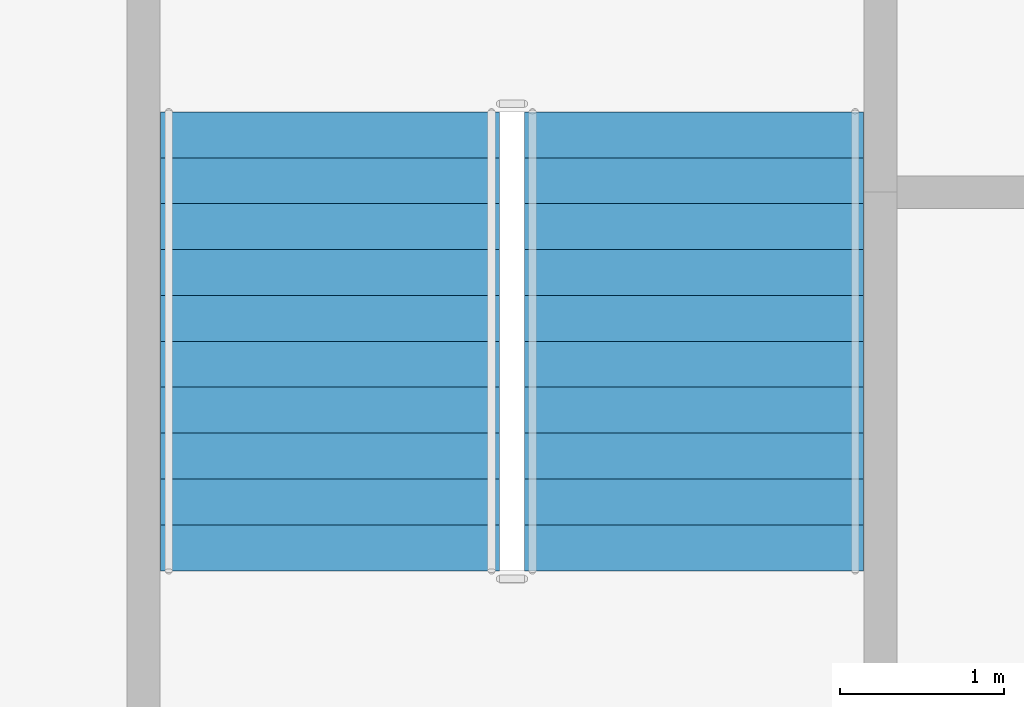
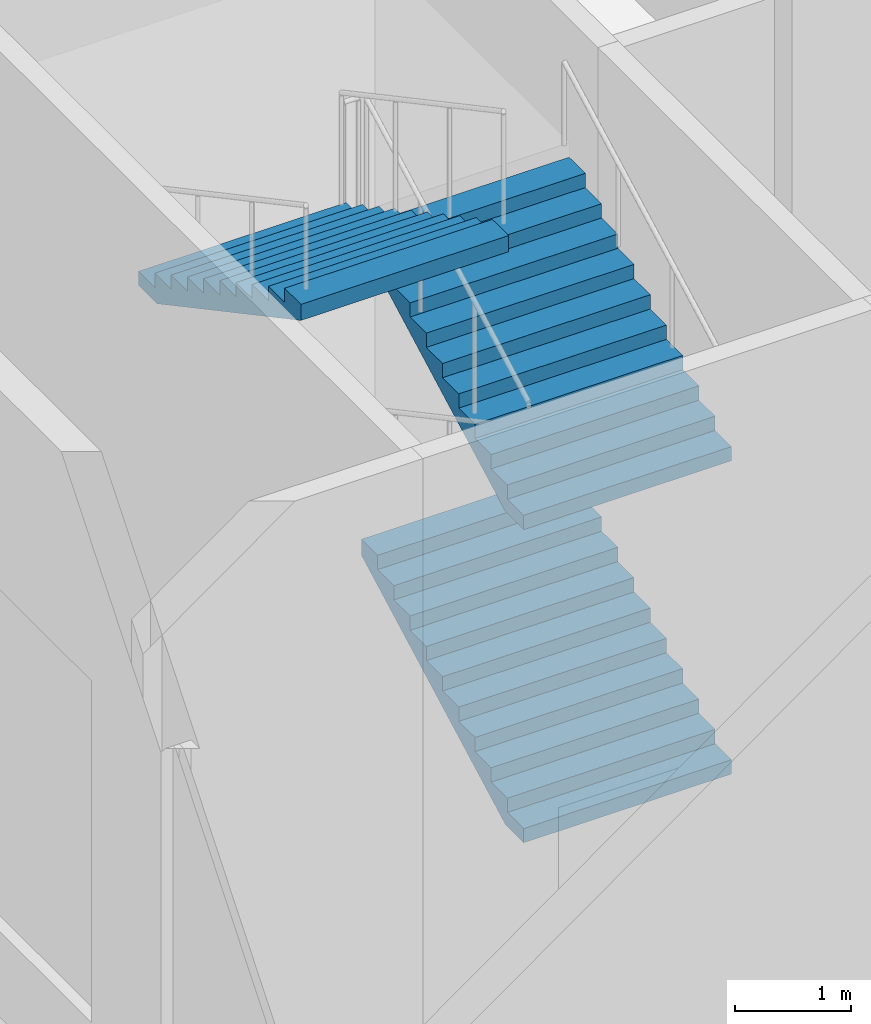
# One storey, part 16 of 26: 3 stair flights, 1 element without a shape of its own.
"""IFC4 building model written with IfcOpenShell, lengths in metres."""

from ifc_helpers import new_model, si_unit, direction, frame, origin, place, context, subcontext, project, spatial, polygons, material, type_object, element, aggregate, save


model = new_model("IFC4")

# Units and contexts
model_context = context("Model", 3, precision=1e-05, world=origin(), true_north=direction((0.0, 1.0)))
body_context = subcontext(model_context, "Body", "Model", "MODEL_VIEW")
ifc_project = project(units=[si_unit("LENGTHUNIT", "METRE"), si_unit("AREAUNIT", "SQUARE_METRE"), si_unit("VOLUMEUNIT", "CUBIC_METRE"), si_unit("PLANEANGLEUNIT", "RADIAN"), si_unit("MASSUNIT", "GRAM", prefix="KILO")], contexts=[model_context])

# Site, building, storey
site_placement = place(None, origin())
site = spatial("IfcSite", under=ifc_project, at=site_placement, CompositionType="ELEMENT")
building_placement = place(site_placement, origin())
building = spatial("IfcBuilding", under=site, at=building_placement, Name="Caravel Reach Hotel and Residences", CompositionType="ELEMENT")
storey_placement = place(building_placement, frame((0.0, 0.0, 17.39990234375)))
storey = spatial("IfcBuildingStorey", under=building, at=storey_placement, Name="L03", CompositionType="ELEMENT", Elevation=17.39990234375)

# Stair, stair flights
ifc_material_1 = material(Name="Concrete C40", Category="concrete")
stair_type = type_object("IfcStairType", Name="Core stair", PredefinedType="HALF_TURN_STAIR", material=ifc_material_1)
stair_placement = place(storey_placement, origin())
stair = element("IfcStair", 1, at=stair_placement, inside=storey, type_object=stair_type, Name="L03 Exit stair P5", PredefinedType="HALF_TURN_STAIR")
ifc_material_2 = material(Name="Concrete C40", Category="concrete")
stair_flight_type = type_object("IfcStairFlightType", Name="Core stair flight", PredefinedType="STRAIGHT", material=ifc_material_2)
stair_flight_1_placement = place(storey_placement, frame((1.360107421875, 42.68994140625, 0.0), z_axis=(0.0, 0.0, 1.0), x_axis=(0.0, 1.0, 0.0)))
stair_flight_1 = element("IfcStairFlight", 2, at=stair_flight_1_placement, type_object=stair_flight_type, Name="ST-P5 flight 1", NumberOfRisers=11, NumberOfTreads=10, PredefinedType="STRAIGHT", RiserHeight=0.15, TreadLength=0.28, context=body_context, shape_type="Tessellation", body=[
    polygons([(0.3174408016601862, 1.0350341796875, 0.0), (0.3174408016601862, 0.6900227864583333, 0.0), (0.3174408016601862, 0.34501139322916663, 0.0), (0.3174408016601862, 0.0, 0.0), (0.3174408016601862, -0.34501139322916674, 0.0), (0.3174408016601862, -0.6900227864583333, 0.0), (0.3174408016601862, -1.0350341796875, 0.0), (2.801, 1.0350341796875, 1.329942427682043), (2.801, 0.6900227864583333, 1.329942427682043), (2.801, 0.34501139322916663, 1.329942427682043), (2.801, 0.0, 1.329942427682043), (2.801, -0.34501139322916674, 1.329942427682043), (2.801, -0.6900227864583333, 1.329942427682043), (2.801, -1.0350341796875, 1.329942427682043), (2.801, 1.0350341796875, 1.5), (2.801, 0.6900227864583333, 1.5), (2.801, 0.34501139322916663, 1.5), (2.801, 0.0, 1.5), (2.801, -0.34501139322916674, 1.5), (2.801, -0.6900227864583333, 1.5), (2.801, -1.0350341796875, 1.5), (2.5200000000000005, 1.0350341796875, 1.5), (2.5200000000000005, 0.6900227864583333, 1.5), (2.5200000000000005, 0.34501139322916663, 1.5), (2.5200000000000005, 0.0, 1.5), (2.5200000000000005, -0.34501139322916674, 1.5), (2.5200000000000005, -0.6900227864583333, 1.5), (2.5200000000000005, -1.0350341796875, 1.5), (2.5200000000000005, 1.0350341796875, 1.3499999999999999), (2.5200000000000005, 0.6900227864583333, 1.3499999999999999), (2.5200000000000005, 0.34501139322916663, 1.3499999999999999), (2.5200000000000005, 0.0, 1.3499999999999999), (2.5200000000000005, -0.34501139322916674, 1.3499999999999999), (2.5200000000000005, -0.6900227864583333, 1.3499999999999999), (2.5200000000000005, -1.0350341796875, 1.3499999999999999), (2.24, 1.0350341796875, 1.3499999999999999), (2.24, 0.6900227864583333, 1.3499999999999999), (2.24, 0.34501139322916663, 1.3499999999999999), (2.24, 0.0, 1.3499999999999999), (2.24, -0.34501139322916674, 1.3499999999999999), (2.24, -0.6900227864583333, 1.3499999999999999), (2.24, -1.0350341796875, 1.3499999999999999), (2.24, 1.0350341796875, 1.2), (2.24, 0.6900227864583333, 1.2), (2.24, 0.34501139322916663, 1.2), (2.24, 0.0, 1.2), (2.24, -0.34501139322916674, 1.2), (2.24, -0.6900227864583333, 1.2), (2.24, -1.0350341796875, 1.2), (1.9600000000000002, 1.0350341796875, 1.2), (1.9600000000000002, 0.6900227864583333, 1.2), (1.9600000000000002, 0.34501139322916663, 1.2), (1.9600000000000002, 0.0, 1.2), (1.9600000000000002, -0.34501139322916674, 1.2), (1.9600000000000002, -0.6900227864583333, 1.2), (1.9600000000000002, -1.0350341796875, 1.2), (1.9600000000000002, 1.0350341796875, 1.05), (1.9600000000000002, 0.6900227864583333, 1.05), (1.9600000000000002, 0.34501139322916663, 1.05), (1.9600000000000002, 0.0, 1.05), (1.9600000000000002, -0.34501139322916674, 1.05), (1.9600000000000002, -0.6900227864583333, 1.05), (1.9600000000000002, -1.0350341796875, 1.05), (1.6800000000000002, 1.0350341796875, 1.05), (1.6800000000000002, 0.6900227864583333, 1.05), (1.6800000000000002, 0.34501139322916663, 1.05), (1.6800000000000002, 0.0, 1.05), (1.6800000000000002, -0.34501139322916674, 1.05), (1.6800000000000002, -0.6900227864583333, 1.05), (1.6800000000000002, -1.0350341796875, 1.05), (1.6800000000000002, 1.0350341796875, 0.8999999999999999), (1.6800000000000002, 0.6900227864583333, 0.8999999999999999), (1.6800000000000002, 0.34501139322916663, 0.8999999999999999), (1.6800000000000002, 0.0, 0.8999999999999999), (1.6800000000000002, -0.34501139322916674, 0.8999999999999999), (1.6800000000000002, -0.6900227864583333, 0.8999999999999999), (1.6800000000000002, -1.0350341796875, 0.8999999999999999), (1.4000000000000001, 1.0350341796875, 0.8999999999999999), (1.4000000000000001, 0.6900227864583333, 0.8999999999999999), (1.4000000000000001, 0.34501139322916663, 0.8999999999999999), (1.4000000000000001, 0.0, 0.8999999999999999), (1.4000000000000001, -0.34501139322916674, 0.8999999999999999), (1.4000000000000001, -0.6900227864583333, 0.8999999999999999), (1.4000000000000001, -1.0350341796875, 0.8999999999999999), (1.4000000000000001, 1.0350341796875, 0.75), (1.4000000000000001, 0.6900227864583333, 0.75), (1.4000000000000001, 0.34501139322916663, 0.75), (1.4000000000000001, 0.0, 0.75), (1.4000000000000001, -0.34501139322916674, 0.75), (1.4000000000000001, -0.6900227864583333, 0.75), (1.4000000000000001, -1.0350341796875, 0.75), (1.12, 1.0350341796875, 0.75), (1.12, 0.6900227864583333, 0.75), (1.12, 0.34501139322916663, 0.75), (1.12, 0.0, 0.75), (1.12, -0.34501139322916674, 0.75), (1.12, -0.6900227864583333, 0.75), (1.12, -1.0350341796875, 0.75), (1.12, 1.0350341796875, 0.6), (1.12, 0.6900227864583333, 0.6), (1.12, 0.34501139322916663, 0.6), (1.12, 0.0, 0.6), (1.12, -0.34501139322916674, 0.6), (1.12, -0.6900227864583333, 0.6), (1.12, -1.0350341796875, 0.6), (0.8400000000000001, 1.0350341796875, 0.6), (0.8400000000000001, 0.6900227864583333, 0.6), (0.8400000000000001, 0.34501139322916663, 0.6), (0.8400000000000001, 0.0, 0.6), (0.8400000000000001, -0.34501139322916674, 0.6), (0.8400000000000001, -0.6900227864583333, 0.6), (0.8400000000000001, -1.0350341796875, 0.6), (0.8400000000000001, 1.0350341796875, 0.44999999999999996), (0.8400000000000001, 0.6900227864583333, 0.44999999999999996), (0.8400000000000001, 0.34501139322916663, 0.44999999999999996), (0.8400000000000001, 0.0, 0.44999999999999996), (0.8400000000000001, -0.34501139322916674, 0.44999999999999996), (0.8400000000000001, -0.6900227864583333, 0.44999999999999996), (0.8400000000000001, -1.0350341796875, 0.44999999999999996), (0.56, 1.0350341796875, 0.44999999999999996), (0.56, 0.6900227864583333, 0.44999999999999996), (0.56, 0.34501139322916663, 0.44999999999999996), (0.56, 0.0, 0.44999999999999996), (0.56, -0.34501139322916674, 0.44999999999999996), (0.56, -0.6900227864583333, 0.44999999999999996), (0.56, -1.0350341796875, 0.44999999999999996), (0.56, 1.0350341796875, 0.3), (0.56, 0.6900227864583333, 0.3), (0.56, 0.34501139322916663, 0.3), (0.56, 0.0, 0.3), (0.56, -0.34501139322916674, 0.3), (0.56, -0.6900227864583333, 0.3), (0.56, -1.0350341796875, 0.3), (0.28, 1.0350341796875, 0.3), (0.28, 0.6900227864583333, 0.3), (0.28, 0.34501139322916663, 0.3), (0.28, 0.0, 0.3), (0.28, -0.34501139322916674, 0.3), (0.28, -0.6900227864583333, 0.3), (0.28, -1.0350341796875, 0.3), (0.28, 1.0350341796875, 0.15), (0.28, 0.6900227864583333, 0.15), (0.28, 0.34501139322916663, 0.15), (0.28, 0.0, 0.15), (0.28, -0.34501139322916674, 0.15), (0.28, -0.6900227864583333, 0.15), (0.28, -1.0350341796875, 0.15), (-0.001, 1.0350341796875, 0.15), (-0.001, 0.6900227864583333, 0.15), (-0.001, 0.34501139322916663, 0.15), (-0.001, 0.0, 0.15), (-0.001, -0.34501139322916674, 0.15), (-0.001, -0.6900227864583333, 0.15), (-0.001, -1.0350341796875, 0.15), (-0.001, 1.0350341796875, 0.0), (-0.001, 0.6900227864583333, 0.0), (-0.001, 0.34501139322916663, 0.0), (-0.001, 0.0, 0.0), (-0.001, -0.34501139322916674, 0.0), (-0.001, -0.6900227864583333, 0.0), (-0.001, -1.0350341796875, 0.0)], [[[155, 148, 141, 134, 127, 120, 113, 106, 99, 92, 85, 78, 71, 64, 57, 50, 43, 36, 29, 22, 15, 8, 1]], [[7, 14, 21, 28, 35, 42, 49, 56, 63, 70, 77, 84, 91, 98, 105, 112, 119, 126, 133, 140, 147, 154, 161]], [[1, 8, 9, 2]], [[2, 9, 10, 3]], [[3, 10, 11, 4]], [[4, 11, 12, 5]], [[5, 12, 13, 6]], [[6, 13, 14, 7]], [[8, 15, 16, 9]], [[9, 16, 17, 10]], [[10, 17, 18, 11]], [[11, 18, 19, 12]], [[12, 19, 20, 13]], [[13, 20, 21, 14]], [[15, 22, 23, 16]], [[16, 23, 24, 17]], [[17, 24, 25, 18]], [[18, 25, 26, 19]], [[19, 26, 27, 20]], [[20, 27, 28, 21]], [[22, 29, 30, 23]], [[23, 30, 31, 24]], [[24, 31, 32, 25]], [[25, 32, 33, 26]], [[26, 33, 34, 27]], [[27, 34, 35, 28]], [[29, 36, 37, 30]], [[30, 37, 38, 31]], [[31, 38, 39, 32]], [[32, 39, 40, 33]], [[33, 40, 41, 34]], [[34, 41, 42, 35]], [[36, 43, 44, 37]], [[37, 44, 45, 38]], [[38, 45, 46, 39]], [[39, 46, 47, 40]], [[40, 47, 48, 41]], [[41, 48, 49, 42]], [[43, 50, 51, 44]], [[44, 51, 52, 45]], [[45, 52, 53, 46]], [[46, 53, 54, 47]], [[47, 54, 55, 48]], [[48, 55, 56, 49]], [[50, 57, 58, 51]], [[51, 58, 59, 52]], [[52, 59, 60, 53]], [[53, 60, 61, 54]], [[54, 61, 62, 55]], [[55, 62, 63, 56]], [[57, 64, 65, 58]], [[58, 65, 66, 59]], [[59, 66, 67, 60]], [[60, 67, 68, 61]], [[61, 68, 69, 62]], [[62, 69, 70, 63]], [[64, 71, 72, 65]], [[65, 72, 73, 66]], [[66, 73, 74, 67]], [[67, 74, 75, 68]], [[68, 75, 76, 69]], [[69, 76, 77, 70]], [[71, 78, 79, 72]], [[72, 79, 80, 73]], [[73, 80, 81, 74]], [[74, 81, 82, 75]], [[75, 82, 83, 76]], [[76, 83, 84, 77]], [[78, 85, 86, 79]], [[79, 86, 87, 80]], [[80, 87, 88, 81]], [[81, 88, 89, 82]], [[82, 89, 90, 83]], [[83, 90, 91, 84]], [[85, 92, 93, 86]], [[86, 93, 94, 87]], [[87, 94, 95, 88]], [[88, 95, 96, 89]], [[89, 96, 97, 90]], [[90, 97, 98, 91]], [[92, 99, 100, 93]], [[93, 100, 101, 94]], [[94, 101, 102, 95]], [[95, 102, 103, 96]], [[96, 103, 104, 97]], [[97, 104, 105, 98]], [[99, 106, 107, 100]], [[100, 107, 108, 101]], [[101, 108, 109, 102]], [[102, 109, 110, 103]], [[103, 110, 111, 104]], [[104, 111, 112, 105]], [[106, 113, 114, 107]], [[107, 114, 115, 108]], [[108, 115, 116, 109]], [[109, 116, 117, 110]], [[110, 117, 118, 111]], [[111, 118, 119, 112]], [[113, 120, 121, 114]], [[114, 121, 122, 115]], [[115, 122, 123, 116]], [[116, 123, 124, 117]], [[117, 124, 125, 118]], [[118, 125, 126, 119]], [[120, 127, 128, 121]], [[121, 128, 129, 122]], [[122, 129, 130, 123]], [[123, 130, 131, 124]], [[124, 131, 132, 125]], [[125, 132, 133, 126]], [[127, 134, 135, 128]], [[128, 135, 136, 129]], [[129, 136, 137, 130]], [[130, 137, 138, 131]], [[131, 138, 139, 132]], [[132, 139, 140, 133]], [[134, 141, 142, 135]], [[135, 142, 143, 136]], [[136, 143, 144, 137]], [[137, 144, 145, 138]], [[138, 145, 146, 139]], [[139, 146, 147, 140]], [[141, 148, 149, 142]], [[142, 149, 150, 143]], [[143, 150, 151, 144]], [[144, 151, 152, 145]], [[145, 152, 153, 146]], [[146, 153, 154, 147]], [[148, 155, 156, 149]], [[149, 156, 157, 150]], [[150, 157, 158, 151]], [[151, 158, 159, 152]], [[152, 159, 160, 153]], [[153, 160, 161, 154]], [[155, 1, 2, 156]], [[156, 2, 3, 157]], [[157, 3, 4, 158]], [[158, 4, 5, 159]], [[159, 5, 6, 160]], [[160, 6, 7, 161]]], closed=True),
])
stair_flight_2_placement = place(storey_placement, frame((1.360107421875, 42.68994140625, 3.300048828125), z_axis=(0.0, 0.0, 1.0), x_axis=(0.0, 1.0, 0.0)))
stair_flight_2 = element("IfcStairFlight", 3, at=stair_flight_2_placement, type_object=stair_flight_type, Name="ST-P5 flight 3", NumberOfRisers=11, NumberOfTreads=10, PredefinedType="STRAIGHT", RiserHeight=0.15, TreadLength=0.28, context=body_context, shape_type="Tessellation", body=[
    polygons([(0.3174408016601862, 1.0350341796875, 0.0), (0.3174408016601862, 0.6900227864583333, 0.0), (0.3174408016601862, 0.34501139322916663, 0.0), (0.3174408016601862, 0.0, 0.0), (0.3174408016601862, -0.34501139322916674, 0.0), (0.3174408016601862, -0.6900227864583333, 0.0), (0.3174408016601862, -1.0350341796875, 0.0), (2.801, 1.0350341796875, 1.329942427682043), (2.801, 0.6900227864583333, 1.329942427682043), (2.801, 0.34501139322916663, 1.329942427682043), (2.801, 0.0, 1.329942427682043), (2.801, -0.34501139322916674, 1.329942427682043), (2.801, -0.6900227864583333, 1.329942427682043), (2.801, -1.0350341796875, 1.329942427682043), (2.801, 1.0350341796875, 1.5), (2.801, 0.6900227864583333, 1.5), (2.801, 0.34501139322916663, 1.5), (2.801, 0.0, 1.5), (2.801, -0.34501139322916674, 1.5), (2.801, -0.6900227864583333, 1.5), (2.801, -1.0350341796875, 1.5), (2.5200000000000005, 1.0350341796875, 1.5), (2.5200000000000005, 0.6900227864583333, 1.5), (2.5200000000000005, 0.34501139322916663, 1.5), (2.5200000000000005, 0.0, 1.5), (2.5200000000000005, -0.34501139322916674, 1.5), (2.5200000000000005, -0.6900227864583333, 1.5), (2.5200000000000005, -1.0350341796875, 1.5), (2.5200000000000005, 1.0350341796875, 1.3499999999999999), (2.5200000000000005, 0.6900227864583333, 1.3499999999999999), (2.5200000000000005, 0.34501139322916663, 1.3499999999999999), (2.5200000000000005, 0.0, 1.3499999999999999), (2.5200000000000005, -0.34501139322916674, 1.3499999999999999), (2.5200000000000005, -0.6900227864583333, 1.3499999999999999), (2.5200000000000005, -1.0350341796875, 1.3499999999999999), (2.24, 1.0350341796875, 1.3499999999999999), (2.24, 0.6900227864583333, 1.3499999999999999), (2.24, 0.34501139322916663, 1.3499999999999999), (2.24, 0.0, 1.3499999999999999), (2.24, -0.34501139322916674, 1.3499999999999999), (2.24, -0.6900227864583333, 1.3499999999999999), (2.24, -1.0350341796875, 1.3499999999999999), (2.24, 1.0350341796875, 1.2), (2.24, 0.6900227864583333, 1.2), (2.24, 0.34501139322916663, 1.2), (2.24, 0.0, 1.2), (2.24, -0.34501139322916674, 1.2), (2.24, -0.6900227864583333, 1.2), (2.24, -1.0350341796875, 1.2), (1.9600000000000002, 1.0350341796875, 1.2), (1.9600000000000002, 0.6900227864583333, 1.2), (1.9600000000000002, 0.34501139322916663, 1.2), (1.9600000000000002, 0.0, 1.2), (1.9600000000000002, -0.34501139322916674, 1.2), (1.9600000000000002, -0.6900227864583333, 1.2), (1.9600000000000002, -1.0350341796875, 1.2), (1.9600000000000002, 1.0350341796875, 1.05), (1.9600000000000002, 0.6900227864583333, 1.05), (1.9600000000000002, 0.34501139322916663, 1.05), (1.9600000000000002, 0.0, 1.05), (1.9600000000000002, -0.34501139322916674, 1.05), (1.9600000000000002, -0.6900227864583333, 1.05), (1.9600000000000002, -1.0350341796875, 1.05), (1.6800000000000002, 1.0350341796875, 1.05), (1.6800000000000002, 0.6900227864583333, 1.05), (1.6800000000000002, 0.34501139322916663, 1.05), (1.6800000000000002, 0.0, 1.05), (1.6800000000000002, -0.34501139322916674, 1.05), (1.6800000000000002, -0.6900227864583333, 1.05), (1.6800000000000002, -1.0350341796875, 1.05), (1.6800000000000002, 1.0350341796875, 0.8999999999999999), (1.6800000000000002, 0.6900227864583333, 0.8999999999999999), (1.6800000000000002, 0.34501139322916663, 0.8999999999999999), (1.6800000000000002, 0.0, 0.8999999999999999), (1.6800000000000002, -0.34501139322916674, 0.8999999999999999), (1.6800000000000002, -0.6900227864583333, 0.8999999999999999), (1.6800000000000002, -1.0350341796875, 0.8999999999999999), (1.4000000000000001, 1.0350341796875, 0.8999999999999999), (1.4000000000000001, 0.6900227864583333, 0.8999999999999999), (1.4000000000000001, 0.34501139322916663, 0.8999999999999999), (1.4000000000000001, 0.0, 0.8999999999999999), (1.4000000000000001, -0.34501139322916674, 0.8999999999999999), (1.4000000000000001, -0.6900227864583333, 0.8999999999999999), (1.4000000000000001, -1.0350341796875, 0.8999999999999999), (1.4000000000000001, 1.0350341796875, 0.75), (1.4000000000000001, 0.6900227864583333, 0.75), (1.4000000000000001, 0.34501139322916663, 0.75), (1.4000000000000001, 0.0, 0.75), (1.4000000000000001, -0.34501139322916674, 0.75), (1.4000000000000001, -0.6900227864583333, 0.75), (1.4000000000000001, -1.0350341796875, 0.75), (1.12, 1.0350341796875, 0.75), (1.12, 0.6900227864583333, 0.75), (1.12, 0.34501139322916663, 0.75), (1.12, 0.0, 0.75), (1.12, -0.34501139322916674, 0.75), (1.12, -0.6900227864583333, 0.75), (1.12, -1.0350341796875, 0.75), (1.12, 1.0350341796875, 0.6), (1.12, 0.6900227864583333, 0.6), (1.12, 0.34501139322916663, 0.6), (1.12, 0.0, 0.6), (1.12, -0.34501139322916674, 0.6), (1.12, -0.6900227864583333, 0.6), (1.12, -1.0350341796875, 0.6), (0.8400000000000001, 1.0350341796875, 0.6), (0.8400000000000001, 0.6900227864583333, 0.6), (0.8400000000000001, 0.34501139322916663, 0.6), (0.8400000000000001, 0.0, 0.6), (0.8400000000000001, -0.34501139322916674, 0.6), (0.8400000000000001, -0.6900227864583333, 0.6), (0.8400000000000001, -1.0350341796875, 0.6), (0.8400000000000001, 1.0350341796875, 0.44999999999999996), (0.8400000000000001, 0.6900227864583333, 0.44999999999999996), (0.8400000000000001, 0.34501139322916663, 0.44999999999999996), (0.8400000000000001, 0.0, 0.44999999999999996), (0.8400000000000001, -0.34501139322916674, 0.44999999999999996), (0.8400000000000001, -0.6900227864583333, 0.44999999999999996), (0.8400000000000001, -1.0350341796875, 0.44999999999999996), (0.56, 1.0350341796875, 0.44999999999999996), (0.56, 0.6900227864583333, 0.44999999999999996), (0.56, 0.34501139322916663, 0.44999999999999996), (0.56, 0.0, 0.44999999999999996), (0.56, -0.34501139322916674, 0.44999999999999996), (0.56, -0.6900227864583333, 0.44999999999999996), (0.56, -1.0350341796875, 0.44999999999999996), (0.56, 1.0350341796875, 0.3), (0.56, 0.6900227864583333, 0.3), (0.56, 0.34501139322916663, 0.3), (0.56, 0.0, 0.3), (0.56, -0.34501139322916674, 0.3), (0.56, -0.6900227864583333, 0.3), (0.56, -1.0350341796875, 0.3), (0.28, 1.0350341796875, 0.3), (0.28, 0.6900227864583333, 0.3), (0.28, 0.34501139322916663, 0.3), (0.28, 0.0, 0.3), (0.28, -0.34501139322916674, 0.3), (0.28, -0.6900227864583333, 0.3), (0.28, -1.0350341796875, 0.3), (0.28, 1.0350341796875, 0.15), (0.28, 0.6900227864583333, 0.15), (0.28, 0.34501139322916663, 0.15), (0.28, 0.0, 0.15), (0.28, -0.34501139322916674, 0.15), (0.28, -0.6900227864583333, 0.15), (0.28, -1.0350341796875, 0.15), (-0.001, 1.0350341796875, 0.15), (-0.001, 0.6900227864583333, 0.15), (-0.001, 0.34501139322916663, 0.15), (-0.001, 0.0, 0.15), (-0.001, -0.34501139322916674, 0.15), (-0.001, -0.6900227864583333, 0.15), (-0.001, -1.0350341796875, 0.15), (-0.001, 1.0350341796875, 0.0), (-0.001, 0.6900227864583333, 0.0), (-0.001, 0.34501139322916663, 0.0), (-0.001, 0.0, 0.0), (-0.001, -0.34501139322916674, 0.0), (-0.001, -0.6900227864583333, 0.0), (-0.001, -1.0350341796875, 0.0)], [[[155, 148, 141, 134, 127, 120, 113, 106, 99, 92, 85, 78, 71, 64, 57, 50, 43, 36, 29, 22, 15, 8, 1]], [[7, 14, 21, 28, 35, 42, 49, 56, 63, 70, 77, 84, 91, 98, 105, 112, 119, 126, 133, 140, 147, 154, 161]], [[1, 8, 9, 2]], [[2, 9, 10, 3]], [[3, 10, 11, 4]], [[4, 11, 12, 5]], [[5, 12, 13, 6]], [[6, 13, 14, 7]], [[8, 15, 16, 9]], [[9, 16, 17, 10]], [[10, 17, 18, 11]], [[11, 18, 19, 12]], [[12, 19, 20, 13]], [[13, 20, 21, 14]], [[15, 22, 23, 16]], [[16, 23, 24, 17]], [[17, 24, 25, 18]], [[18, 25, 26, 19]], [[19, 26, 27, 20]], [[20, 27, 28, 21]], [[22, 29, 30, 23]], [[23, 30, 31, 24]], [[24, 31, 32, 25]], [[25, 32, 33, 26]], [[26, 33, 34, 27]], [[27, 34, 35, 28]], [[29, 36, 37, 30]], [[30, 37, 38, 31]], [[31, 38, 39, 32]], [[32, 39, 40, 33]], [[33, 40, 41, 34]], [[34, 41, 42, 35]], [[36, 43, 44, 37]], [[37, 44, 45, 38]], [[38, 45, 46, 39]], [[39, 46, 47, 40]], [[40, 47, 48, 41]], [[41, 48, 49, 42]], [[43, 50, 51, 44]], [[44, 51, 52, 45]], [[45, 52, 53, 46]], [[46, 53, 54, 47]], [[47, 54, 55, 48]], [[48, 55, 56, 49]], [[50, 57, 58, 51]], [[51, 58, 59, 52]], [[52, 59, 60, 53]], [[53, 60, 61, 54]], [[54, 61, 62, 55]], [[55, 62, 63, 56]], [[57, 64, 65, 58]], [[58, 65, 66, 59]], [[59, 66, 67, 60]], [[60, 67, 68, 61]], [[61, 68, 69, 62]], [[62, 69, 70, 63]], [[64, 71, 72, 65]], [[65, 72, 73, 66]], [[66, 73, 74, 67]], [[67, 74, 75, 68]], [[68, 75, 76, 69]], [[69, 76, 77, 70]], [[71, 78, 79, 72]], [[72, 79, 80, 73]], [[73, 80, 81, 74]], [[74, 81, 82, 75]], [[75, 82, 83, 76]], [[76, 83, 84, 77]], [[78, 85, 86, 79]], [[79, 86, 87, 80]], [[80, 87, 88, 81]], [[81, 88, 89, 82]], [[82, 89, 90, 83]], [[83, 90, 91, 84]], [[85, 92, 93, 86]], [[86, 93, 94, 87]], [[87, 94, 95, 88]], [[88, 95, 96, 89]], [[89, 96, 97, 90]], [[90, 97, 98, 91]], [[92, 99, 100, 93]], [[93, 100, 101, 94]], [[94, 101, 102, 95]], [[95, 102, 103, 96]], [[96, 103, 104, 97]], [[97, 104, 105, 98]], [[99, 106, 107, 100]], [[100, 107, 108, 101]], [[101, 108, 109, 102]], [[102, 109, 110, 103]], [[103, 110, 111, 104]], [[104, 111, 112, 105]], [[106, 113, 114, 107]], [[107, 114, 115, 108]], [[108, 115, 116, 109]], [[109, 116, 117, 110]], [[110, 117, 118, 111]], [[111, 118, 119, 112]], [[113, 120, 121, 114]], [[114, 121, 122, 115]], [[115, 122, 123, 116]], [[116, 123, 124, 117]], [[117, 124, 125, 118]], [[118, 125, 126, 119]], [[120, 127, 128, 121]], [[121, 128, 129, 122]], [[122, 129, 130, 123]], [[123, 130, 131, 124]], [[124, 131, 132, 125]], [[125, 132, 133, 126]], [[127, 134, 135, 128]], [[128, 135, 136, 129]], [[129, 136, 137, 130]], [[130, 137, 138, 131]], [[131, 138, 139, 132]], [[132, 139, 140, 133]], [[134, 141, 142, 135]], [[135, 142, 143, 136]], [[136, 143, 144, 137]], [[137, 144, 145, 138]], [[138, 145, 146, 139]], [[139, 146, 147, 140]], [[141, 148, 149, 142]], [[142, 149, 150, 143]], [[143, 150, 151, 144]], [[144, 151, 152, 145]], [[145, 152, 153, 146]], [[146, 153, 154, 147]], [[148, 155, 156, 149]], [[149, 156, 157, 150]], [[150, 157, 158, 151]], [[151, 158, 159, 152]], [[152, 159, 160, 153]], [[153, 160, 161, 154]], [[155, 1, 2, 156]], [[156, 2, 3, 157]], [[157, 3, 4, 158]], [[158, 4, 5, 159]], [[159, 5, 6, 160]], [[160, 6, 7, 161]]], closed=True),
])
stair_flight_3_placement = place(storey_placement, frame((-0.860107421875, 45.489990234375, 4.9501953125), z_axis=(0.0, 0.0, 1.0), x_axis=(0.0, -1.0, 0.0)))
stair_flight_3 = element("IfcStairFlight", 4, at=stair_flight_3_placement, type_object=stair_flight_type, Name="ST-P5 flight 4", NumberOfRisers=11, NumberOfTreads=10, PredefinedType="STRAIGHT", RiserHeight=0.15, TreadLength=0.28, context=body_context, shape_type="Tessellation", body=[
    polygons([(0.3174408016601862, 1.0350341796875, 0.0), (0.3174408016601862, 0.6900227864583333, 0.0), (0.3174408016601862, 0.34501139322916663, 0.0), (0.3174408016601862, 0.0, 0.0), (0.3174408016601862, -0.34501139322916674, 0.0), (0.3174408016601862, -0.6900227864583333, 0.0), (0.3174408016601862, -1.0350341796875, 0.0), (2.801, 1.0350341796875, 1.329942427682043), (2.801, 0.6900227864583333, 1.329942427682043), (2.801, 0.34501139322916663, 1.329942427682043), (2.801, 0.0, 1.329942427682043), (2.801, -0.34501139322916674, 1.329942427682043), (2.801, -0.6900227864583333, 1.329942427682043), (2.801, -1.0350341796875, 1.329942427682043), (2.801, 1.0350341796875, 1.5), (2.801, 0.6900227864583333, 1.5), (2.801, 0.34501139322916663, 1.5), (2.801, 0.0, 1.5), (2.801, -0.34501139322916674, 1.5), (2.801, -0.6900227864583333, 1.5), (2.801, -1.0350341796875, 1.5), (2.5200000000000005, 1.0350341796875, 1.5), (2.5200000000000005, 0.6900227864583333, 1.5), (2.5200000000000005, 0.34501139322916663, 1.5), (2.5200000000000005, 0.0, 1.5), (2.5200000000000005, -0.34501139322916674, 1.5), (2.5200000000000005, -0.6900227864583333, 1.5), (2.5200000000000005, -1.0350341796875, 1.5), (2.5200000000000005, 1.0350341796875, 1.3499999999999999), (2.5200000000000005, 0.6900227864583333, 1.3499999999999999), (2.5200000000000005, 0.34501139322916663, 1.3499999999999999), (2.5200000000000005, 0.0, 1.3499999999999999), (2.5200000000000005, -0.34501139322916674, 1.3499999999999999), (2.5200000000000005, -0.6900227864583333, 1.3499999999999999), (2.5200000000000005, -1.0350341796875, 1.3499999999999999), (2.24, 1.0350341796875, 1.3499999999999999), (2.24, 0.6900227864583333, 1.3499999999999999), (2.24, 0.34501139322916663, 1.3499999999999999), (2.24, 0.0, 1.3499999999999999), (2.24, -0.34501139322916674, 1.3499999999999999), (2.24, -0.6900227864583333, 1.3499999999999999), (2.24, -1.0350341796875, 1.3499999999999999), (2.24, 1.0350341796875, 1.2), (2.24, 0.6900227864583333, 1.2), (2.24, 0.34501139322916663, 1.2), (2.24, 0.0, 1.2), (2.24, -0.34501139322916674, 1.2), (2.24, -0.6900227864583333, 1.2), (2.24, -1.0350341796875, 1.2), (1.9600000000000002, 1.0350341796875, 1.2), (1.9600000000000002, 0.6900227864583333, 1.2), (1.9600000000000002, 0.34501139322916663, 1.2), (1.9600000000000002, 0.0, 1.2), (1.9600000000000002, -0.34501139322916674, 1.2), (1.9600000000000002, -0.6900227864583333, 1.2), (1.9600000000000002, -1.0350341796875, 1.2), (1.9600000000000002, 1.0350341796875, 1.05), (1.9600000000000002, 0.6900227864583333, 1.05), (1.9600000000000002, 0.34501139322916663, 1.05), (1.9600000000000002, 0.0, 1.05), (1.9600000000000002, -0.34501139322916674, 1.05), (1.9600000000000002, -0.6900227864583333, 1.05), (1.9600000000000002, -1.0350341796875, 1.05), (1.6800000000000002, 1.0350341796875, 1.05), (1.6800000000000002, 0.6900227864583333, 1.05), (1.6800000000000002, 0.34501139322916663, 1.05), (1.6800000000000002, 0.0, 1.05), (1.6800000000000002, -0.34501139322916674, 1.05), (1.6800000000000002, -0.6900227864583333, 1.05), (1.6800000000000002, -1.0350341796875, 1.05), (1.6800000000000002, 1.0350341796875, 0.8999999999999999), (1.6800000000000002, 0.6900227864583333, 0.8999999999999999), (1.6800000000000002, 0.34501139322916663, 0.8999999999999999), (1.6800000000000002, 0.0, 0.8999999999999999), (1.6800000000000002, -0.34501139322916674, 0.8999999999999999), (1.6800000000000002, -0.6900227864583333, 0.8999999999999999), (1.6800000000000002, -1.0350341796875, 0.8999999999999999), (1.4000000000000001, 1.0350341796875, 0.8999999999999999), (1.4000000000000001, 0.6900227864583333, 0.8999999999999999), (1.4000000000000001, 0.34501139322916663, 0.8999999999999999), (1.4000000000000001, 0.0, 0.8999999999999999), (1.4000000000000001, -0.34501139322916674, 0.8999999999999999), (1.4000000000000001, -0.6900227864583333, 0.8999999999999999), (1.4000000000000001, -1.0350341796875, 0.8999999999999999), (1.4000000000000001, 1.0350341796875, 0.75), (1.4000000000000001, 0.6900227864583333, 0.75), (1.4000000000000001, 0.34501139322916663, 0.75), (1.4000000000000001, 0.0, 0.75), (1.4000000000000001, -0.34501139322916674, 0.75), (1.4000000000000001, -0.6900227864583333, 0.75), (1.4000000000000001, -1.0350341796875, 0.75), (1.12, 1.0350341796875, 0.75), (1.12, 0.6900227864583333, 0.75), (1.12, 0.34501139322916663, 0.75), (1.12, 0.0, 0.75), (1.12, -0.34501139322916674, 0.75), (1.12, -0.6900227864583333, 0.75), (1.12, -1.0350341796875, 0.75), (1.12, 1.0350341796875, 0.6), (1.12, 0.6900227864583333, 0.6), (1.12, 0.34501139322916663, 0.6), (1.12, 0.0, 0.6), (1.12, -0.34501139322916674, 0.6), (1.12, -0.6900227864583333, 0.6), (1.12, -1.0350341796875, 0.6), (0.8400000000000001, 1.0350341796875, 0.6), (0.8400000000000001, 0.6900227864583333, 0.6), (0.8400000000000001, 0.34501139322916663, 0.6), (0.8400000000000001, 0.0, 0.6), (0.8400000000000001, -0.34501139322916674, 0.6), (0.8400000000000001, -0.6900227864583333, 0.6), (0.8400000000000001, -1.0350341796875, 0.6), (0.8400000000000001, 1.0350341796875, 0.44999999999999996), (0.8400000000000001, 0.6900227864583333, 0.44999999999999996), (0.8400000000000001, 0.34501139322916663, 0.44999999999999996), (0.8400000000000001, 0.0, 0.44999999999999996), (0.8400000000000001, -0.34501139322916674, 0.44999999999999996), (0.8400000000000001, -0.6900227864583333, 0.44999999999999996), (0.8400000000000001, -1.0350341796875, 0.44999999999999996), (0.56, 1.0350341796875, 0.44999999999999996), (0.56, 0.6900227864583333, 0.44999999999999996), (0.56, 0.34501139322916663, 0.44999999999999996), (0.56, 0.0, 0.44999999999999996), (0.56, -0.34501139322916674, 0.44999999999999996), (0.56, -0.6900227864583333, 0.44999999999999996), (0.56, -1.0350341796875, 0.44999999999999996), (0.56, 1.0350341796875, 0.3), (0.56, 0.6900227864583333, 0.3), (0.56, 0.34501139322916663, 0.3), (0.56, 0.0, 0.3), (0.56, -0.34501139322916674, 0.3), (0.56, -0.6900227864583333, 0.3), (0.56, -1.0350341796875, 0.3), (0.28, 1.0350341796875, 0.3), (0.28, 0.6900227864583333, 0.3), (0.28, 0.34501139322916663, 0.3), (0.28, 0.0, 0.3), (0.28, -0.34501139322916674, 0.3), (0.28, -0.6900227864583333, 0.3), (0.28, -1.0350341796875, 0.3), (0.28, 1.0350341796875, 0.15), (0.28, 0.6900227864583333, 0.15), (0.28, 0.34501139322916663, 0.15), (0.28, 0.0, 0.15), (0.28, -0.34501139322916674, 0.15), (0.28, -0.6900227864583333, 0.15), (0.28, -1.0350341796875, 0.15), (-0.001, 1.0350341796875, 0.15), (-0.001, 0.6900227864583333, 0.15), (-0.001, 0.34501139322916663, 0.15), (-0.001, 0.0, 0.15), (-0.001, -0.34501139322916674, 0.15), (-0.001, -0.6900227864583333, 0.15), (-0.001, -1.0350341796875, 0.15), (-0.001, 1.0350341796875, 0.0), (-0.001, 0.6900227864583333, 0.0), (-0.001, 0.34501139322916663, 0.0), (-0.001, 0.0, 0.0), (-0.001, -0.34501139322916674, 0.0), (-0.001, -0.6900227864583333, 0.0), (-0.001, -1.0350341796875, 0.0)], [[[155, 148, 141, 134, 127, 120, 113, 106, 99, 92, 85, 78, 71, 64, 57, 50, 43, 36, 29, 22, 15, 8, 1]], [[7, 14, 21, 28, 35, 42, 49, 56, 63, 70, 77, 84, 91, 98, 105, 112, 119, 126, 133, 140, 147, 154, 161]], [[1, 8, 9, 2]], [[2, 9, 10, 3]], [[3, 10, 11, 4]], [[4, 11, 12, 5]], [[5, 12, 13, 6]], [[6, 13, 14, 7]], [[8, 15, 16, 9]], [[9, 16, 17, 10]], [[10, 17, 18, 11]], [[11, 18, 19, 12]], [[12, 19, 20, 13]], [[13, 20, 21, 14]], [[15, 22, 23, 16]], [[16, 23, 24, 17]], [[17, 24, 25, 18]], [[18, 25, 26, 19]], [[19, 26, 27, 20]], [[20, 27, 28, 21]], [[22, 29, 30, 23]], [[23, 30, 31, 24]], [[24, 31, 32, 25]], [[25, 32, 33, 26]], [[26, 33, 34, 27]], [[27, 34, 35, 28]], [[29, 36, 37, 30]], [[30, 37, 38, 31]], [[31, 38, 39, 32]], [[32, 39, 40, 33]], [[33, 40, 41, 34]], [[34, 41, 42, 35]], [[36, 43, 44, 37]], [[37, 44, 45, 38]], [[38, 45, 46, 39]], [[39, 46, 47, 40]], [[40, 47, 48, 41]], [[41, 48, 49, 42]], [[43, 50, 51, 44]], [[44, 51, 52, 45]], [[45, 52, 53, 46]], [[46, 53, 54, 47]], [[47, 54, 55, 48]], [[48, 55, 56, 49]], [[50, 57, 58, 51]], [[51, 58, 59, 52]], [[52, 59, 60, 53]], [[53, 60, 61, 54]], [[54, 61, 62, 55]], [[55, 62, 63, 56]], [[57, 64, 65, 58]], [[58, 65, 66, 59]], [[59, 66, 67, 60]], [[60, 67, 68, 61]], [[61, 68, 69, 62]], [[62, 69, 70, 63]], [[64, 71, 72, 65]], [[65, 72, 73, 66]], [[66, 73, 74, 67]], [[67, 74, 75, 68]], [[68, 75, 76, 69]], [[69, 76, 77, 70]], [[71, 78, 79, 72]], [[72, 79, 80, 73]], [[73, 80, 81, 74]], [[74, 81, 82, 75]], [[75, 82, 83, 76]], [[76, 83, 84, 77]], [[78, 85, 86, 79]], [[79, 86, 87, 80]], [[80, 87, 88, 81]], [[81, 88, 89, 82]], [[82, 89, 90, 83]], [[83, 90, 91, 84]], [[85, 92, 93, 86]], [[86, 93, 94, 87]], [[87, 94, 95, 88]], [[88, 95, 96, 89]], [[89, 96, 97, 90]], [[90, 97, 98, 91]], [[92, 99, 100, 93]], [[93, 100, 101, 94]], [[94, 101, 102, 95]], [[95, 102, 103, 96]], [[96, 103, 104, 97]], [[97, 104, 105, 98]], [[99, 106, 107, 100]], [[100, 107, 108, 101]], [[101, 108, 109, 102]], [[102, 109, 110, 103]], [[103, 110, 111, 104]], [[104, 111, 112, 105]], [[106, 113, 114, 107]], [[107, 114, 115, 108]], [[108, 115, 116, 109]], [[109, 116, 117, 110]], [[110, 117, 118, 111]], [[111, 118, 119, 112]], [[113, 120, 121, 114]], [[114, 121, 122, 115]], [[115, 122, 123, 116]], [[116, 123, 124, 117]], [[117, 124, 125, 118]], [[118, 125, 126, 119]], [[120, 127, 128, 121]], [[121, 128, 129, 122]], [[122, 129, 130, 123]], [[123, 130, 131, 124]], [[124, 131, 132, 125]], [[125, 132, 133, 126]], [[127, 134, 135, 128]], [[128, 135, 136, 129]], [[129, 136, 137, 130]], [[130, 137, 138, 131]], [[131, 138, 139, 132]], [[132, 139, 140, 133]], [[134, 141, 142, 135]], [[135, 142, 143, 136]], [[136, 143, 144, 137]], [[137, 144, 145, 138]], [[138, 145, 146, 139]], [[139, 146, 147, 140]], [[141, 148, 149, 142]], [[142, 149, 150, 143]], [[143, 150, 151, 144]], [[144, 151, 152, 145]], [[145, 152, 153, 146]], [[146, 153, 154, 147]], [[148, 155, 156, 149]], [[149, 156, 157, 150]], [[150, 157, 158, 151]], [[151, 158, 159, 152]], [[152, 159, 160, 153]], [[153, 160, 161, 154]], [[155, 1, 2, 156]], [[156, 2, 3, 157]], [[157, 3, 4, 158]], [[158, 4, 5, 159]], [[159, 5, 6, 160]], [[160, 6, 7, 161]]], closed=True),
])
aggregate(stair, [stair_flight_1, stair_flight_2, stair_flight_3])

save(model, "model.ifc")
